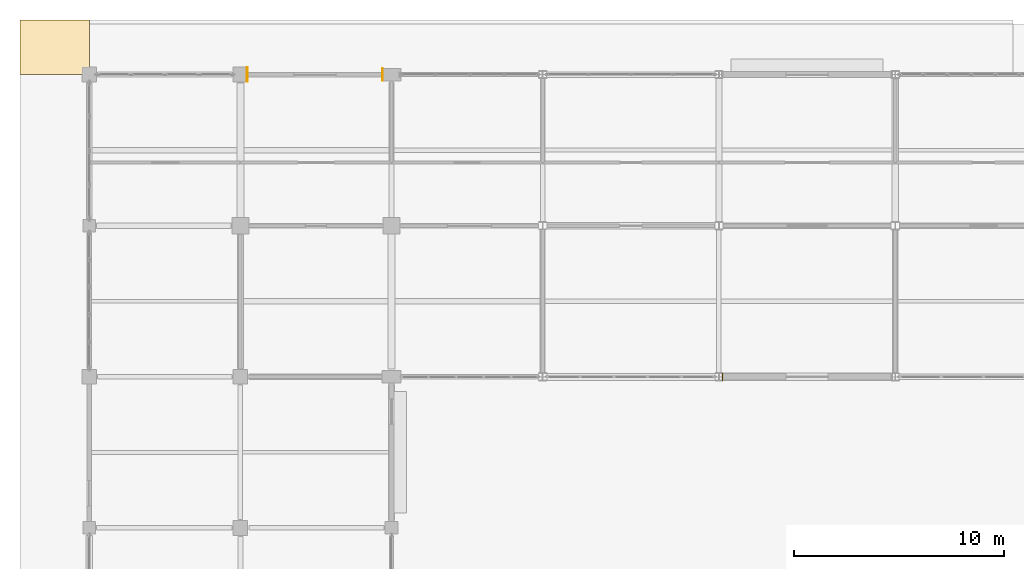
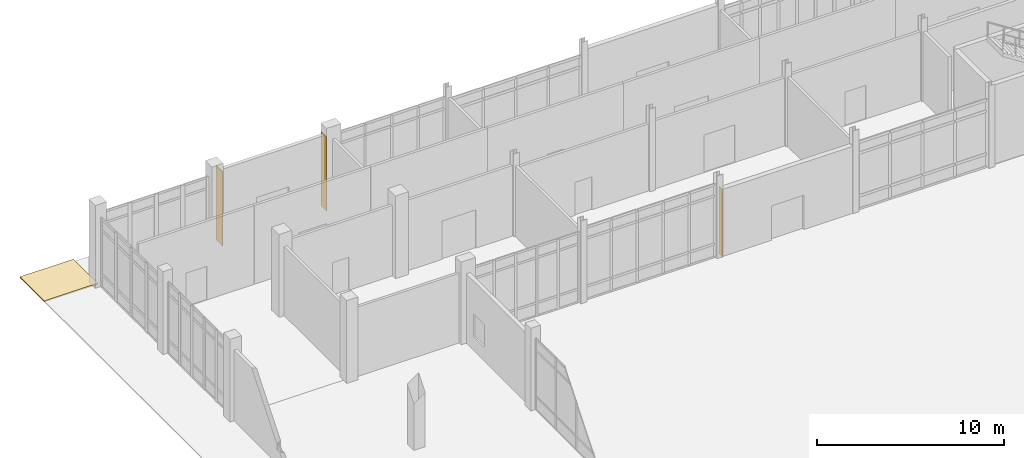
# One storey, part 216 of 229: 4 coverings.
"""IFC4 building model written with IfcOpenShell, lengths in metres."""

import ifcopenshell
import ifcopenshell.guid

model = None  # the IFC model being written
_history = None  # IfcOwnerHistory: only IFC2X3 demands one
_inside = {}  # id of a spatial element -> (the spatial element, [elements in it])
_under = {}  # id of a project, library or spatial element -> (it, [spatial elements below it])
_declared = {}  # id of a project -> (the project, [libraries it declares])
_typed = {}  # id of a type object -> (the type object, [elements of that type])
_made_of = {}  # id of a material, layer set ... -> (it, [elements and type objects made of it])


def new_model(schema):
    """Start an empty IFC model of exactly this schema.

    Asked for "IFC4X3", IfcOpenShell would pick the latest addendum, in which some entities
    have other attributes; the version numbers below select the first issue.
    IFC2X3 requires an IfcOwnerHistory on every rooted entity: one is made here for all.
    """
    global model, _history
    if schema == "IFC4X3":
        model = ifcopenshell.file(schema_version=(4, 3, 0, 0))
    else:
        model = ifcopenshell.file(schema=schema)
    _inside.clear()
    _under.clear()
    _declared.clear()
    _typed.clear()
    _made_of.clear()
    _history = None
    if model.schema == "IFC2X3":
        org = make("IfcOrganization", Name="unknown")
        user = make(
            "IfcPersonAndOrganization",
            ThePerson=make("IfcPerson", FamilyName="unknown"),
            TheOrganization=org,
        )
        app = make(
            "IfcApplication",
            ApplicationDeveloper=org,
            Version="unknown",
            ApplicationFullName="unknown",
            ApplicationIdentifier="unknown",
        )
        _history = make(
            "IfcOwnerHistory",
            OwningUser=user,
            OwningApplication=app,
            ChangeAction="ADDED",
            CreationDate=0,
        )
    return model


def make(cls, **values):
    """One entity of the class cls with the attributes given. An attribute that is None is left unset."""
    return model.create_entity(
        cls, **{name: value for name, value in values.items() if value is not None}
    )


def rooted(cls, **values):
    """An entity with a GlobalId (a new one), such as an element, a storey or a relation."""
    return make(cls, GlobalId=ifcopenshell.guid.new(), OwnerHistory=_history, **values)


def si_unit(unit_type, name, prefix=None):
    """IfcSIUnit, for example si_unit("LENGTHUNIT", "METRE", prefix="MILLI")."""
    return make("IfcSIUnit", UnitType=unit_type, Prefix=prefix, Name=name)


def assignment(units):
    """IfcUnitAssignment: the units of a project."""
    return None if units is None else make("IfcUnitAssignment", Units=units)


def point(xyz):
    """IfcCartesianPoint."""
    return None if xyz is None else make("IfcCartesianPoint", Coordinates=xyz)


def direction(xyz):
    """IfcDirection."""
    return None if xyz is None else make("IfcDirection", DirectionRatios=xyz)


def frame(location, z_axis=None, x_axis=None):
    """IfcAxis2Placement3D, a coordinate frame: its origin and axes. An axis left out is left unset."""
    return make(
        "IfcAxis2Placement3D",
        Location=point(location),
        Axis=direction(z_axis),
        RefDirection=direction(x_axis),
    )


def origin():
    """The frame at (0, 0, 0) with its axes left unset."""
    return frame((0.0, 0.0, 0.0))


def place(relative_to, where):
    """IfcLocalPlacement: puts the frame where relative to a parent placement (None: the world)."""
    return make(
        "IfcLocalPlacement", PlacementRelTo=relative_to, RelativePlacement=where
    )


def context(
    kind, dimensions, precision=None, world=None, true_north=None, identifier=None
):
    """IfcGeometricRepresentationContext, for example the 3D "Model" context."""
    return make(
        "IfcGeometricRepresentationContext",
        ContextIdentifier=identifier,
        ContextType=kind,
        CoordinateSpaceDimension=dimensions,
        Precision=precision,
        WorldCoordinateSystem=world,
        TrueNorth=true_north,
    )


def subcontext(parent, identifier, kind, view, scale=None):
    """IfcGeometricRepresentationSubContext, for example "Body" below "Model"."""
    return make(
        "IfcGeometricRepresentationSubContext",
        ContextIdentifier=identifier,
        ContextType=kind,
        ParentContext=parent,
        TargetScale=scale,
        TargetView=view,
    )


def project(units=None, contexts=None):
    """IfcProject with its units and contexts."""
    return rooted(
        "IfcProject",
        Name="project",
        RepresentationContexts=contexts,
        UnitsInContext=assignment(units),
    )


def spatial(cls, under=None, at=None, **own):
    """A site, building, storey or space (cls), placed at a placement, below another one or the project."""
    s = rooted(cls, ObjectPlacement=at, **own)
    if under is not None:
        _under.setdefault(under.id(), (under, []))[1].append(s)
    return s


def polyline(points):
    """IfcPolyline through the points."""
    return make("IfcPolyline", Points=[point(p) for p in points])


def outline(outer, holes=None, kind="AREA"):
    """IfcArbitraryClosedProfileDef: a profile drawn as a closed curve; with holes, ...WithVoids."""
    if holes is None:
        return make("IfcArbitraryClosedProfileDef", ProfileType=kind, OuterCurve=outer)
    return make(
        "IfcArbitraryProfileDefWithVoids",
        ProfileType=kind,
        OuterCurve=outer,
        InnerCurves=holes,
    )


def extrude(swept, where, along, depth):
    """IfcExtrudedAreaSolid: the profile swept, set in the frame where, extruded along a direction by depth."""
    return make(
        "IfcExtrudedAreaSolid",
        SweptArea=swept,
        Position=where,
        ExtrudedDirection=direction(along),
        Depth=depth,
    )


def shape(context_of_items, identifier, shape_type, items):
    """IfcShapeRepresentation: the items that make up one representation, for example the "Body"."""
    return make(
        "IfcShapeRepresentation",
        ContextOfItems=context_of_items,
        RepresentationIdentifier=identifier,
        RepresentationType=shape_type,
        Items=items,
    )


def material(Name=None, Category=None):
    """IfcMaterial."""
    return make("IfcMaterial", Name=Name, Category=Category)


def layer(
    of_material, thickness, ventilated=None, Name=None, Category=None, Priority=None
):
    """IfcMaterialLayer: one layer of a wall or slab, of a material (None: an air gap)."""
    return make(
        "IfcMaterialLayer",
        Material=of_material,
        LayerThickness=thickness,
        IsVentilated=ventilated,
        Name=Name,
        Category=Category,
        Priority=Priority,
    )


def layer_set(layers, Name=None):
    """IfcMaterialLayerSet."""
    return make("IfcMaterialLayerSet", MaterialLayers=layers, LayerSetName=Name)


def made_of(thing, what):
    """Note that an element or type object is made of a material, layer set ...; save() writes the relation."""
    if what is not None:
        _made_of.setdefault(what.id(), (what, []))[1].append(thing)
    return thing


def type_object(cls, material=None, **own):
    """A type object (cls), such as IfcWallType, which elements share."""
    return made_of(rooted(cls, **own), material)


def element(
    cls,
    number,
    at=None,
    inside=None,
    cuts=None,
    type_object=None,
    material=None,
    context=None,
    identifier="Body",
    shape_type=None,
    held_by="IfcProductDefinitionShape",
    body=None,
    shapes=None,
    **own,
):
    """One element of the class cls, such as IfcWall. Its Tag is "e" and its number.

    at: its placement. inside: the storey or other place that contains it. cuts: it is an
    opening in that element (IfcRelVoidsElement). A single representation is given by context,
    identifier, shape_type and body (its items); several are given by shapes. held_by: the class
    of the entity that holds the representations. save() writes the other relations.
    """
    e = rooted(cls, Tag="e%d" % number, ObjectPlacement=at, **own)
    if body is not None:
        shapes = [shape(context, identifier, shape_type, body)]
    if shapes is not None:
        e.Representation = make(held_by, Representations=shapes)
    if inside is not None:
        _inside.setdefault(inside.id(), (inside, []))[1].append(e)
    if cuts is not None:
        rooted(
            "IfcRelVoidsElement", RelatingBuildingElement=cuts, RelatedOpeningElement=e
        )
    if type_object is not None:
        _typed.setdefault(type_object.id(), (type_object, []))[1].append(e)
    return made_of(e, material)


def aggregate(whole, parts):
    """IfcRelAggregates: a whole, such as a stair, and the parts it consists of."""
    return rooted("IfcRelAggregates", RelatingObject=whole, RelatedObjects=parts)


def save(model, path):
    """Write the relations noted so far, then the file.

    IfcRelAggregates (storeys below a building ...), IfcRelContainedInSpatialStructure (elements
    in a storey), IfcRelDefinesByType, IfcRelAssociatesMaterial and IfcRelDeclares: one each for
    every whole, place, type object, material and project.
    """
    for whole, parts in _under.values():
        aggregate(whole, parts)
    for where, things in _inside.values():
        rooted(
            "IfcRelContainedInSpatialStructure",
            RelatedElements=things,
            RelatingStructure=where,
        )
    for kind, things in _typed.values():
        rooted("IfcRelDefinesByType", RelatedObjects=things, RelatingType=kind)
    for what, things in _made_of.values():
        rooted("IfcRelAssociatesMaterial", RelatedObjects=things, RelatingMaterial=what)
    for by, libraries in _declared.values():
        rooted("IfcRelDeclares", RelatingContext=by, RelatedDefinitions=libraries)
    model.write(path)


model = new_model("IFC4")

# Units and contexts
model_context = context("Model", 3, precision=1e-05, world=origin(), true_north=direction((0.0, 1.0)))
body_context = subcontext(model_context, "Body", "Model", "MODEL_VIEW")
ifc_project = project(units=[si_unit("LENGTHUNIT", "METRE"), si_unit("AREAUNIT", "SQUARE_METRE"), si_unit("VOLUMEUNIT", "CUBIC_METRE"), si_unit("PLANEANGLEUNIT", "RADIAN"), si_unit("MASSUNIT", "GRAM", prefix="KILO")], contexts=[model_context])

# Site, building, storey
site_placement = place(None, origin())
site = spatial("IfcSite", under=ifc_project, at=site_placement, CompositionType="ELEMENT")
building_placement = place(site_placement, origin())
building = spatial("IfcBuilding", under=site, at=building_placement, Name="Calvrana Isthmian Art Gallery", CompositionType="ELEMENT")
storey_placement = place(building_placement, origin())
storey = spatial("IfcBuildingStorey", under=building, at=storey_placement, Name="L00", CompositionType="ELEMENT", Elevation=0.0)

# Coverings
ifc_material_1 = material(Name="Polychrome glazed terracotta", Category="masonry")
ifc_layer_1 = layer(ifc_material_1, 0.0400390625, Name="Polychrome glazed terracotta")
ifc_layer_set_1 = layer_set([ifc_layer_1], Name="Polychrome glazed terracotta")
covering_type_1 = type_object("IfcCoveringType", Name="COV-CLAD-TERRA", PredefinedType="CLADDING", material=ifc_layer_set_1)
covering_1_placement = place(storey_placement, origin())
element("IfcCovering", 1, at=covering_1_placement, inside=storey, type_object=covering_type_1, Name="Column pocket weather closure L00-04-13-W", PredefinedType="CLADDING", context=body_context, shape_type="SweptSolid", body=[
    extrude(outline(polyline([(30.146484375, 98.220947265625), (30.1865234375, 98.220947265625), (30.1865234375, 98.5791015625), (30.146484375, 98.5791015625), (30.146484375, 98.220947265625)])), origin(), (0.0, 0.0, 1.0), 4.3779296875),
])
covering_2_placement = place(storey_placement, origin())
element("IfcCovering", 2, at=covering_2_placement, inside=storey, type_object=covering_type_1, Name="Column pocket weather closure L00-01-15-W", PredefinedType="CLADDING", context=body_context, shape_type="SweptSolid", body=[
    extrude(outline(polyline([(7.510009765625, 112.455078125), (7.550048828125, 112.455078125), (7.550048828125, 113.14501953125), (7.510009765625, 113.14501953125), (7.510009765625, 112.455078125)])), origin(), (0.0, 0.0, 1.0), 4.835205078125),
])
covering_3_placement = place(storey_placement, origin())
element("IfcCovering", 3, at=covering_3_placement, inside=storey, type_object=covering_type_1, Name="Column pocket weather closure L00-01-15-E", PredefinedType="CLADDING", context=body_context, shape_type="SweptSolid", body=[
    extrude(outline(polyline([(13.949951171875, 112.5048828125), (13.989990234375, 112.5048828125), (13.989990234375, 113.094970703125), (13.949951171875, 113.094970703125), (13.949951171875, 112.5048828125)])), origin(), (0.0, 0.0, 1.0), 4.835205078125),
])
ifc_material_2 = material(Name="Pale Isthmian limestone", Category="masonry")
ifc_layer_2 = layer(ifc_material_2, 0.080078125, Name="Pale Isthmian limestone")
ifc_layer_set_2 = layer_set([ifc_layer_2], Name="Pale Isthmian limestone")
covering_type_2 = type_object("IfcCoveringType", Name="COV-SITE-PAVING", PredefinedType="USERDEFINED", material=ifc_layer_set_2)
covering_4_placement = place(storey_placement, frame((0.0, 0.0, -0.080078125)))
element("IfcCovering", 4, at=covering_4_placement, inside=storey, type_object=covering_type_2, Name="Stepped hillside grade paving bench PAV_N_WEST", ObjectType="PAVING", PredefinedType="USERDEFINED", context=body_context, shape_type="SweptSolid", body=[
    extrude(outline(polyline([(-3.300048828125, 112.798095703125), (0.001953125, 112.798095703125), (0.001953125, 115.39990234375), (-3.300048828125, 115.39990234375), (-3.300048828125, 112.798095703125)])), origin(), (0.0, 0.0, 1.0), 0.080078125),
])

save(model, "model.ifc")
